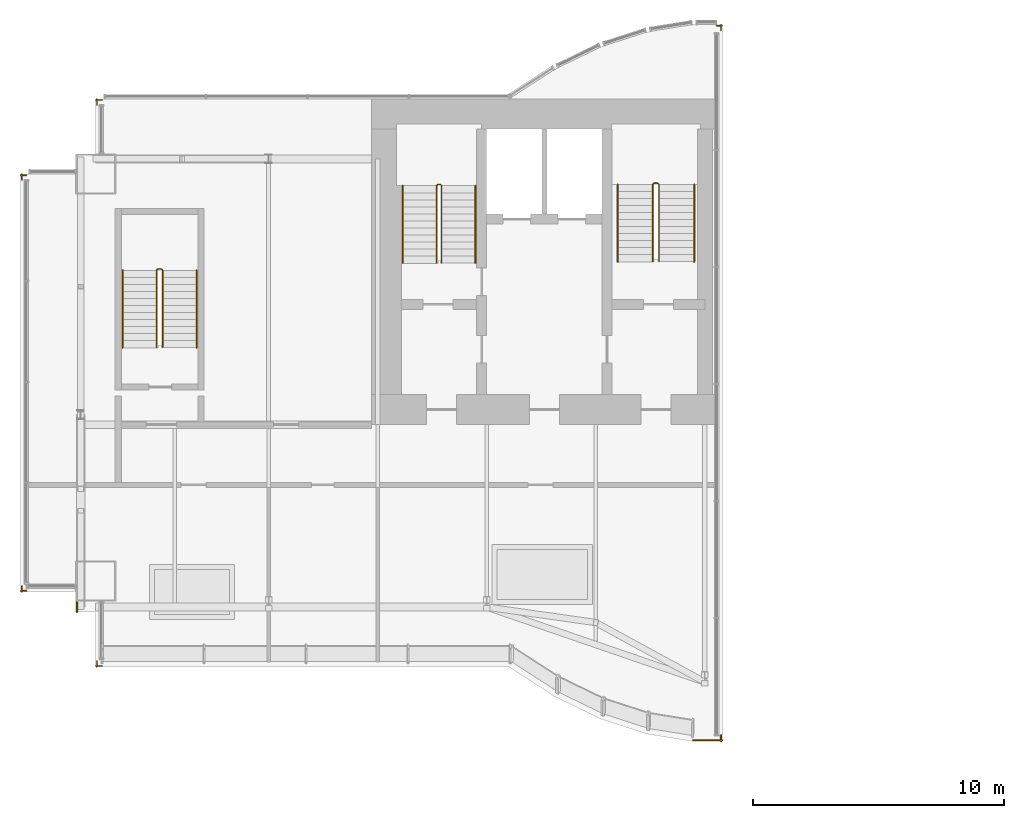
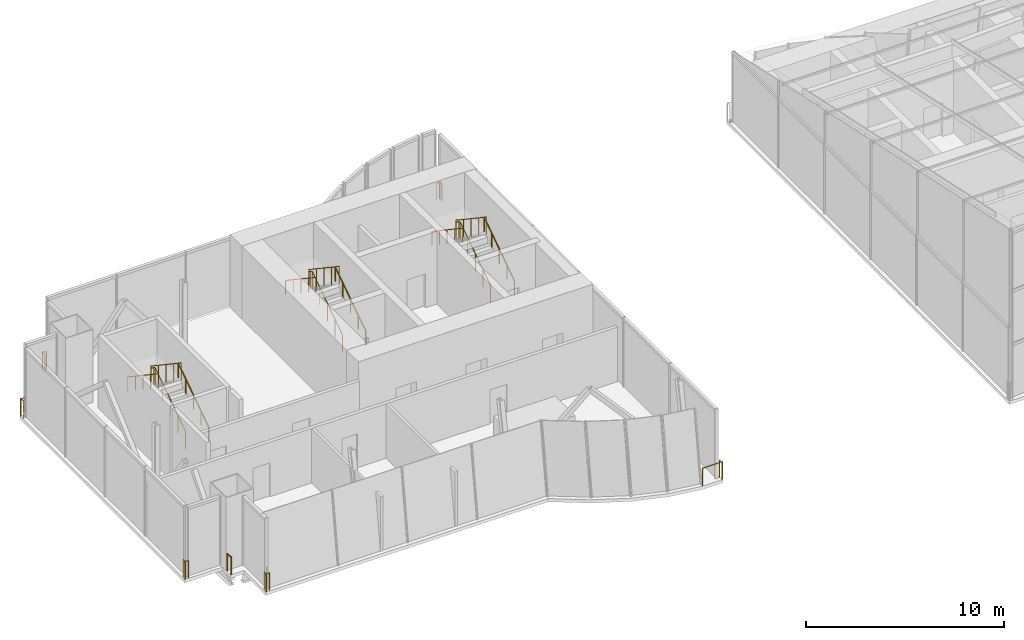
# One storey, part 15 of 17: 16 railings.
"""IFC4 building model written with IfcOpenShell, lengths in metres."""

from ifc_helpers import new_model, si_unit, direction, frame, origin, origin_2d, place, context, subcontext, project, spatial, circle, extrude, material, type_object, element, save


model = new_model("IFC4")

# Units and contexts
model_context = context("Model", 3, precision=1e-05, world=origin(), true_north=direction((0.0, 1.0)))
body_context = subcontext(model_context, "Body", "Model", "MODEL_VIEW")
ifc_project = project(units=[si_unit("LENGTHUNIT", "METRE"), si_unit("AREAUNIT", "SQUARE_METRE"), si_unit("VOLUMEUNIT", "CUBIC_METRE"), si_unit("PLANEANGLEUNIT", "RADIAN"), si_unit("MASSUNIT", "GRAM", prefix="KILO")], contexts=[model_context])

# Site, building, storey
site_placement = place(None, origin())
site = spatial("IfcSite", under=ifc_project, at=site_placement, CompositionType="ELEMENT")
building_placement = place(site_placement, origin())
building = spatial("IfcBuilding", under=site, at=building_placement, Name="Bicima Exchange Tower", CompositionType="ELEMENT")
storey_placement = place(building_placement, frame((0.0, 0.0, 356.89990234375)))
storey = spatial("IfcBuildingStorey", under=building, at=storey_placement, Name="L80", CompositionType="ELEMENT", Elevation=356.89990234375)

# Railings
ifc_material_1 = material(Name="Stainless steel and bonded safety glass", Category="steel")
railing_type_1 = type_object("IfcRailingType", Name="Edge guard 1100", PredefinedType="GUARDRAIL", material=ifc_material_1)
railing_1_placement = place(storey_placement, frame((-35.756103515625, -19.62890625, 0.0)))
element("IfcRailing", 1, at=railing_1_placement, inside=storey, type_object=railing_type_1, Name="Edge guard L80 438", PredefinedType="GUARDRAIL", context=body_context, shape_type="SweptSolid", body=[
    extrude(circle(Radius=0.02392578125, at=origin_2d()), frame((0.0, 0.0, 1.076171875), z_axis=(-1.0, 0.0, 0.0), x_axis=(0.0, -1.0, 0.0)), (0.0, 0.0, 1.0), 0.243896484375),
    extrude(circle(Radius=0.02392578125, at=origin_2d()), frame((-0.243896484375, 0.0, 1.076171875), z_axis=(0.707106781187, -0.707106781187, 0.0), x_axis=(0.707106781187, 0.707106781187, 0.0)), (0.0, 0.0, 1.0), 0.07080078125),
    extrude(circle(Radius=0.02392578125, at=origin_2d()), frame((-0.19384765625, -0.050048828125, 1.076171875), z_axis=(0.0, 1.0, 0.0), x_axis=(-1.0, 0.0, 0.0)), (0.0, 0.0, 1.0), 0.2490234375),
    extrude(circle(Radius=0.02099609375, at=origin_2d()), origin(), (0.0, 0.0, 1.0), 1.052001953125),
    extrude(circle(Radius=0.02099609375, at=origin_2d()), frame((-0.243896484375, 0.0, 0.0)), (0.0, 0.0, 1.0), 1.052001953125),
    extrude(circle(Radius=0.02099609375, at=origin_2d()), frame((-0.19384765625, -0.050048828125, 0.0)), (0.0, 0.0, 1.0), 1.052001953125),
    extrude(circle(Radius=0.02099609375, at=origin_2d()), frame((-0.19384765625, 0.198974609375, 0.0)), (0.0, 0.0, 1.0), 1.052001953125),
])
railing_2_placement = place(storey_placement, frame((-35.949951171875, -3.2490234375, 0.0)))
element("IfcRailing", 2, at=railing_2_placement, inside=storey, type_object=railing_type_1, Name="Edge guard L80 439", PredefinedType="GUARDRAIL", context=body_context, shape_type="SweptSolid", body=[
    extrude(circle(Radius=0.02392578125, at=origin_2d()), frame((0.0, 0.0, 1.076171875), z_axis=(0.0, 1.0, 0.0), x_axis=(-1.0, 0.0, 0.0)), (0.0, 0.0, 1.0), 0.2490234375),
    extrude(circle(Radius=0.02392578125, at=origin_2d()), frame((0.0, 0.2490234375, 1.076171875), z_axis=(-0.707106781187, -0.707106781187, 0.0), x_axis=(0.707106781187, -0.707106781187, 0.0)), (0.0, 0.0, 1.0), 0.07080078125),
    extrude(circle(Radius=0.02392578125, at=origin_2d()), frame((-0.050048828125, 0.198974609375, 1.076171875), z_axis=(1.0, 0.0, 0.0), x_axis=(0.0, 1.0, 0.0)), (0.0, 0.0, 1.0), 0.243896484375),
    extrude(circle(Radius=0.02099609375, at=origin_2d()), origin(), (0.0, 0.0, 1.0), 1.052001953125),
    extrude(circle(Radius=0.02099609375, at=origin_2d()), frame((0.0, 0.2490234375, 0.0)), (0.0, 0.0, 1.0), 1.052001953125),
    extrude(circle(Radius=0.02099609375, at=origin_2d()), frame((-0.050048828125, 0.198974609375, 0.0)), (0.0, 0.0, 1.0), 1.052001953125),
    extrude(circle(Radius=0.02099609375, at=origin_2d()), frame((0.19384765625, 0.198974609375, 0.0)), (0.0, 0.0, 1.0), 1.052001953125),
])
railing_3_placement = place(storey_placement, frame((-32.949951171875, -0.243896484375, 0.0)))
element("IfcRailing", 3, at=railing_3_placement, inside=storey, type_object=railing_type_1, Name="Edge guard L80 440", PredefinedType="GUARDRAIL", context=body_context, shape_type="SweptSolid", body=[
    extrude(circle(Radius=0.02392578125, at=origin_2d()), frame((0.0, 0.0, 1.076171875), z_axis=(0.0, 1.0, 0.0), x_axis=(-1.0, 0.0, 0.0)), (0.0, 0.0, 1.0), 0.243896484375),
    extrude(circle(Radius=0.02392578125, at=origin_2d()), frame((0.0, 0.243896484375, 1.076171875), z_axis=(-0.707106781187, -0.707106781187, 0.0), x_axis=(0.707106781187, -0.707106781187, 0.0)), (0.0, 0.0, 1.0), 0.07080078125),
    extrude(circle(Radius=0.02392578125, at=origin_2d()), frame((-0.050048828125, 0.19384765625, 1.076171875), z_axis=(1.0, 0.0, 0.0), x_axis=(0.0, 1.0, 0.0)), (0.0, 0.0, 1.0), 0.25),
    extrude(circle(Radius=0.02099609375, at=origin_2d()), origin(), (0.0, 0.0, 1.0), 1.052001953125),
    extrude(circle(Radius=0.02099609375, at=origin_2d()), frame((0.0, 0.243896484375, 0.0)), (0.0, 0.0, 1.0), 1.052001953125),
    extrude(circle(Radius=0.02099609375, at=origin_2d()), frame((-0.050048828125, 0.19384765625, 0.0)), (0.0, 0.0, 1.0), 1.052001953125),
    extrude(circle(Radius=0.02099609375, at=origin_2d()), frame((0.199951171875, 0.19384765625, 0.0)), (0.0, 0.0, 1.0), 1.052001953125),
])
railing_4_placement = place(storey_placement, frame((-8.23291015625, 2.9130859375, 0.0)))
element("IfcRailing", 4, at=railing_4_placement, inside=storey, type_object=railing_type_1, Name="Edge guard L80 441", PredefinedType="GUARDRAIL", context=body_context, shape_type="SweptSolid", body=[
    extrude(circle(Radius=0.02392578125, at=origin_2d()), frame((0.0, 0.0, 1.076171875), z_axis=(1.0, 0.0, 0.0), x_axis=(0.0, 1.0, 0.0)), (0.0, 0.0, 1.0), 0.23291015625),
    extrude(circle(Radius=0.02392578125, at=origin_2d()), frame((0.23291015625, 0.0, 1.076171875), z_axis=(-0.708833529934, 0.705375805398, 0.0), x_axis=(-0.705375805398, -0.708833529934, 0.0)), (0.0, 0.0, 1.0), 0.070556640625),
    extrude(circle(Radius=0.02392578125, at=origin_2d()), frame((0.182861328125, 0.0498046875, 1.076171875), z_axis=(0.0, -1.0, 0.0), x_axis=(1.0, 0.0, 0.0)), (0.0, 0.0, 1.0), 0.248779296875),
    extrude(circle(Radius=0.02099609375, at=origin_2d()), origin(), (0.0, 0.0, 1.0), 1.052001953125),
    extrude(circle(Radius=0.02099609375, at=origin_2d()), frame((0.23291015625, 0.0, 0.0)), (0.0, 0.0, 1.0), 1.052001953125),
    extrude(circle(Radius=0.02099609375, at=origin_2d()), frame((0.182861328125, 0.0498046875, 0.0)), (0.0, 0.0, 1.0), 1.052001953125),
    extrude(circle(Radius=0.02099609375, at=origin_2d()), frame((0.182861328125, -0.198974609375, 0.0)), (0.0, 0.0, 1.0), 1.052001953125),
])
railing_5_placement = place(storey_placement, frame((-8.050048828125, -25.39306640625, 0.0)))
element("IfcRailing", 5, at=railing_5_placement, inside=storey, type_object=railing_type_1, Name="Edge guard L80 442", PredefinedType="GUARDRAIL", context=body_context, shape_type="SweptSolid", body=[
    extrude(circle(Radius=0.02392578125, at=origin_2d()), frame((0.0, 0.0, 1.076171875), z_axis=(0.0, -1.0, 0.0), x_axis=(1.0, 0.0, 0.0)), (0.0, 0.0, 1.0), 0.2490234375),
    extrude(circle(Radius=0.02392578125, at=origin_2d()), frame((0.0, -0.2490234375, 1.076171875), z_axis=(0.707106781187, 0.707106781187, 0.0), x_axis=(-0.707106781187, 0.707106781187, 0.0)), (0.0, 0.0, 1.0), 0.07080078125),
    extrude(circle(Radius=0.02392578125, at=origin_2d()), frame((0.050048828125, -0.198974609375, 1.076171875), z_axis=(-1.0, 0.0, 0.0), x_axis=(0.0, -1.0, 0.0)), (0.0, 0.0, 1.0), 1.1669921875),
    extrude(circle(Radius=0.02099609375, at=origin_2d()), origin(), (0.0, 0.0, 1.0), 1.052001953125),
    extrude(circle(Radius=0.02099609375, at=origin_2d()), frame((0.0, -0.2490234375, 0.0)), (0.0, 0.0, 1.0), 1.052001953125),
    extrude(circle(Radius=0.02099609375, at=origin_2d()), frame((0.050048828125, -0.198974609375, 0.0)), (0.0, 0.0, 1.0), 1.052001953125),
    extrude(circle(Radius=0.02099609375, at=origin_2d()), frame((-1.116943359375, -0.198974609375, 0.0)), (0.0, 0.0, 1.0), 1.052001953125),
])
railing_6_placement = place(storey_placement, frame((-32.75, -22.62890625, 0.0)))
element("IfcRailing", 6, at=railing_6_placement, inside=storey, type_object=railing_type_1, Name="Edge guard L80 443", PredefinedType="GUARDRAIL", context=body_context, shape_type="SweptSolid", body=[
    extrude(circle(Radius=0.02392578125, at=origin_2d()), frame((0.0, 0.0, 1.076171875), z_axis=(-1.0, 0.0, 0.0), x_axis=(0.0, -1.0, 0.0)), (0.0, 0.0, 1.0), 0.25),
    extrude(circle(Radius=0.02392578125, at=origin_2d()), frame((-0.25, 0.0, 1.076171875), z_axis=(0.707106781187, -0.707106781187, 0.0), x_axis=(0.707106781187, 0.707106781187, 0.0)), (0.0, 0.0, 1.0), 0.07080078125),
    extrude(circle(Radius=0.02392578125, at=origin_2d()), frame((-0.199951171875, -0.050048828125, 1.076171875), z_axis=(0.0, 1.0, 0.0), x_axis=(-1.0, 0.0, 0.0)), (0.0, 0.0, 1.0), 0.243896484375),
    extrude(circle(Radius=0.02099609375, at=origin_2d()), origin(), (0.0, 0.0, 1.0), 1.052001953125),
    extrude(circle(Radius=0.02099609375, at=origin_2d()), frame((-0.25, 0.0, 0.0)), (0.0, 0.0, 1.0), 1.052001953125),
    extrude(circle(Radius=0.02099609375, at=origin_2d()), frame((-0.199951171875, -0.050048828125, 0.0)), (0.0, 0.0, 1.0), 1.052001953125),
    extrude(circle(Radius=0.02099609375, at=origin_2d()), frame((-0.199951171875, 0.19384765625, 0.0)), (0.0, 0.0, 1.0), 1.052001953125),
])
railing_7_placement = place(storey_placement, frame((-33.75, -20.47900390625, 0.0)))
element("IfcRailing", 7, at=railing_7_placement, inside=storey, type_object=railing_type_1, Name="Edge guard L80 444", PredefinedType="GUARDRAIL", context=body_context, shape_type="SweptSolid", body=[
    extrude(circle(Radius=0.02392578125, at=origin_2d()), frame((0.0, 0.0, 1.076171875), z_axis=(0.0, 1.0, 0.0), x_axis=(-1.0, 0.0, 0.0)), (0.0, 0.0, 1.0), 0.39990234375),
    extrude(circle(Radius=0.02099609375, at=origin_2d()), origin(), (0.0, 0.0, 1.0), 1.052001953125),
    extrude(circle(Radius=0.02099609375, at=origin_2d()), frame((0.0, 0.39990234375, 0.0)), (0.0, 0.0, 1.0), 1.052001953125),
])
ifc_material_2 = material(Name="Stainless steel", Category="steel")
railing_type_2 = type_object("IfcRailingType", Name="Stair guard 1100", PredefinedType="GUARDRAIL", material=ifc_material_2)
railing_8_placement = place(storey_placement, frame((-19.199951171875, -6.550048828125, 0.1875)))
element("IfcRailing", 8, at=railing_8_placement, inside=storey, type_object=railing_type_2, Name="L80 ST-W stair guard 1", PredefinedType="GUARDRAIL", context=body_context, shape_type="SweptSolid", body=[
    extrude(circle(Radius=0.02392578125, at=origin_2d()), frame((0.0, 0.0, 1.076171875), z_axis=(0.0, 0.830913701846, 0.55640131208), x_axis=(-1.0, 0.0, 0.0)), (0.0, 0.0, 1.0), 3.706787109375),
    extrude(circle(Radius=0.02392578125, at=origin_2d()), frame((0.0, 3.080078125, 3.138671875), z_axis=(-0.707106781187, 0.707106781187, 0.0), x_axis=(-0.707106781187, -0.707106781187, 0.0)), (0.0, 0.0, 1.0), 0.07080078125),
    extrude(circle(Radius=0.02392578125, at=origin_2d()), frame((-0.050048828125, 3.130126953125, 3.138671875), z_axis=(-1.0, 0.0, 0.0), x_axis=(0.0, -1.0, 0.0)), (0.0, 0.0, 1.0), 0.10009765625),
    extrude(circle(Radius=0.02392578125, at=origin_2d()), frame((-0.150146484375, 3.130126953125, 3.138671875), z_axis=(-0.248583702486, -0.249802250048, 0.935844527007), x_axis=(0.708833529934, -0.705375805398, 0.0)), (0.0, 0.0, 1.0), 0.200439453125),
    extrude(circle(Radius=0.02392578125, at=origin_2d()), frame((-0.199951171875, 3.080078125, 3.326171875), z_axis=(0.0, -0.830913701846, 0.55640131208), x_axis=(1.0, 0.0, 0.0)), (0.0, 0.0, 1.0), 3.706787109375),
    extrude(circle(Radius=0.02099609375, at=origin_2d()), origin(), (0.0, 0.0, 1.0), 1.052001953125),
    extrude(circle(Radius=0.02099609375, at=origin_2d()), frame((0.0, 0.77001953125, 0.515625)), (0.0, 0.0, 1.0), 1.052001953125),
    extrude(circle(Radius=0.02099609375, at=origin_2d()), frame((0.0, 1.5400390625, 1.03125)), (0.0, 0.0, 1.0), 1.052001953125),
    extrude(circle(Radius=0.02099609375, at=origin_2d()), frame((0.0, 2.31005859375, 1.546875)), (0.0, 0.0, 1.0), 1.052001953125),
    extrude(circle(Radius=0.02099609375, at=origin_2d()), frame((0.0, 3.080078125, 2.0625)), (0.0, 0.0, 1.0), 1.052001953125),
    extrude(circle(Radius=0.02099609375, at=origin_2d()), frame((-0.050048828125, 3.130126953125, 2.0625)), (0.0, 0.0, 1.0), 1.052001953125),
    extrude(circle(Radius=0.02099609375, at=origin_2d()), frame((-0.150146484375, 3.130126953125, 2.0625)), (0.0, 0.0, 1.0), 1.052001953125),
    extrude(circle(Radius=0.02099609375, at=origin_2d()), frame((-0.199951171875, 3.080078125, 2.25)), (0.0, 0.0, 1.0), 1.052001953125),
    extrude(circle(Radius=0.02099609375, at=origin_2d()), frame((-0.199951171875, 2.31005859375, 2.765625)), (0.0, 0.0, 1.0), 1.052001953125),
    extrude(circle(Radius=0.02099609375, at=origin_2d()), frame((-0.199951171875, 1.5400390625, 3.28125)), (0.0, 0.0, 1.0), 1.052001953125),
    extrude(circle(Radius=0.02099609375, at=origin_2d()), frame((-0.199951171875, 0.77001953125, 3.796875)), (0.0, 0.0, 1.0), 1.052001953125),
    extrude(circle(Radius=0.02099609375, at=origin_2d()), frame((-0.199951171875, 0.0, 4.3125)), (0.0, 0.0, 1.0), 1.052001953125),
])
railing_9_placement = place(storey_placement, frame((-10.52490234375, -6.5, 0.1875)))
element("IfcRailing", 9, at=railing_9_placement, inside=storey, type_object=railing_type_2, Name="L80 ST-CR stair guard 1", PredefinedType="GUARDRAIL", context=body_context, shape_type="SweptSolid", body=[
    extrude(circle(Radius=0.02392578125, at=origin_2d()), frame((0.0, 0.0, 1.076171875), z_axis=(0.0, 0.830913701846, 0.55640131208), x_axis=(-1.0, 0.0, 0.0)), (0.0, 0.0, 1.0), 3.706787109375),
    extrude(circle(Radius=0.02392578125, at=origin_2d()), frame((0.0, 3.080078125, 3.138671875), z_axis=(-0.708833529934, 0.705375805398, 0.0), x_axis=(-0.705375805398, -0.708833529934, 0.0)), (0.0, 0.0, 1.0), 0.070556640625),
    extrude(circle(Radius=0.02392578125, at=origin_2d()), frame((-0.050048828125, 3.1298828125, 3.138671875), z_axis=(-1.0, 0.0, 0.0), x_axis=(0.0, -1.0, 0.0)), (0.0, 0.0, 1.0), 0.150146484375),
    extrude(circle(Radius=0.02392578125, at=origin_2d()), frame((-0.2001953125, 3.1298828125, 3.138671875), z_axis=(-0.248659220195, -0.248659220195, 0.936128828968), x_axis=(0.707106781187, -0.707106781187, 0.0)), (0.0, 0.0, 1.0), 0.2001953125),
    extrude(circle(Radius=0.02392578125, at=origin_2d()), frame((-0.25, 3.080078125, 3.326171875), z_axis=(0.0, -0.830913701846, 0.55640131208), x_axis=(1.0, 0.0, 0.0)), (0.0, 0.0, 1.0), 3.706787109375),
    extrude(circle(Radius=0.02099609375, at=origin_2d()), origin(), (0.0, 0.0, 1.0), 1.052001953125),
    extrude(circle(Radius=0.02099609375, at=origin_2d()), frame((0.0, 0.77001953125, 0.515625)), (0.0, 0.0, 1.0), 1.052001953125),
    extrude(circle(Radius=0.02099609375, at=origin_2d()), frame((0.0, 1.5400390625, 1.03125)), (0.0, 0.0, 1.0), 1.052001953125),
    extrude(circle(Radius=0.02099609375, at=origin_2d()), frame((0.0, 2.31005859375, 1.546875)), (0.0, 0.0, 1.0), 1.052001953125),
    extrude(circle(Radius=0.02099609375, at=origin_2d()), frame((0.0, 3.080078125, 2.0625)), (0.0, 0.0, 1.0), 1.052001953125),
    extrude(circle(Radius=0.02099609375, at=origin_2d()), frame((-0.050048828125, 3.1298828125, 2.0625)), (0.0, 0.0, 1.0), 1.052001953125),
    extrude(circle(Radius=0.02099609375, at=origin_2d()), frame((-0.2001953125, 3.1298828125, 2.0625)), (0.0, 0.0, 1.0), 1.052001953125),
    extrude(circle(Radius=0.02099609375, at=origin_2d()), frame((-0.25, 3.080078125, 2.25)), (0.0, 0.0, 1.0), 1.052001953125),
    extrude(circle(Radius=0.02099609375, at=origin_2d()), frame((-0.25, 2.31005859375, 2.765625)), (0.0, 0.0, 1.0), 1.052001953125),
    extrude(circle(Radius=0.02099609375, at=origin_2d()), frame((-0.25, 1.5400390625, 3.28125)), (0.0, 0.0, 1.0), 1.052001953125),
    extrude(circle(Radius=0.02099609375, at=origin_2d()), frame((-0.25, 0.77001953125, 3.796875)), (0.0, 0.0, 1.0), 1.052001953125),
    extrude(circle(Radius=0.02099609375, at=origin_2d()), frame((-0.25, 0.0, 4.3125)), (0.0, 0.0, 1.0), 1.052001953125),
])
railing_10_placement = place(storey_placement, frame((-30.324951171875, -9.925048828125, 0.1875)))
element("IfcRailing", 10, at=railing_10_placement, inside=storey, type_object=railing_type_2, Name="L80 ST-WW stair guard 1", PredefinedType="GUARDRAIL", context=body_context, shape_type="SweptSolid", body=[
    extrude(circle(Radius=0.02392578125, at=origin_2d()), frame((0.0, 0.0, 1.076171875), z_axis=(0.0, 0.830913701846, 0.55640131208), x_axis=(-1.0, 0.0, 0.0)), (0.0, 0.0, 1.0), 3.706787109375),
    extrude(circle(Radius=0.02392578125, at=origin_2d()), frame((0.0, 3.080078125, 3.138671875), z_axis=(-0.707106781187, 0.707106781187, 0.0), x_axis=(-0.707106781187, -0.707106781187, 0.0)), (0.0, 0.0, 1.0), 0.07080078125),
    extrude(circle(Radius=0.02392578125, at=origin_2d()), frame((-0.050048828125, 3.130126953125, 3.138671875), z_axis=(-1.0, 0.0, 0.0), x_axis=(0.0, -1.0, 0.0)), (0.0, 0.0, 1.0), 0.14990234375),
    extrude(circle(Radius=0.02392578125, at=origin_2d()), frame((-0.199951171875, 3.130126953125, 3.138671875), z_axis=(-0.249726431254, -0.249726431254, 0.935560483917), x_axis=(0.707106781187, -0.707106781187, 0.0)), (0.0, 0.0, 1.0), 0.200439453125),
    extrude(circle(Radius=0.02392578125, at=origin_2d()), frame((-0.25, 3.080078125, 3.326171875), z_axis=(0.0, -0.830913701846, 0.55640131208), x_axis=(1.0, 0.0, 0.0)), (0.0, 0.0, 1.0), 3.706787109375),
    extrude(circle(Radius=0.02099609375, at=origin_2d()), origin(), (0.0, 0.0, 1.0), 1.052001953125),
    extrude(circle(Radius=0.02099609375, at=origin_2d()), frame((0.0, 0.77001953125, 0.515625)), (0.0, 0.0, 1.0), 1.052001953125),
    extrude(circle(Radius=0.02099609375, at=origin_2d()), frame((0.0, 1.5400390625, 1.03125)), (0.0, 0.0, 1.0), 1.052001953125),
    extrude(circle(Radius=0.02099609375, at=origin_2d()), frame((0.0, 2.31005859375, 1.546875)), (0.0, 0.0, 1.0), 1.052001953125),
    extrude(circle(Radius=0.02099609375, at=origin_2d()), frame((0.0, 3.080078125, 2.0625)), (0.0, 0.0, 1.0), 1.052001953125),
    extrude(circle(Radius=0.02099609375, at=origin_2d()), frame((-0.050048828125, 3.130126953125, 2.0625)), (0.0, 0.0, 1.0), 1.052001953125),
    extrude(circle(Radius=0.02099609375, at=origin_2d()), frame((-0.199951171875, 3.130126953125, 2.0625)), (0.0, 0.0, 1.0), 1.052001953125),
    extrude(circle(Radius=0.02099609375, at=origin_2d()), frame((-0.25, 3.080078125, 2.25)), (0.0, 0.0, 1.0), 1.052001953125),
    extrude(circle(Radius=0.02099609375, at=origin_2d()), frame((-0.25, 2.31005859375, 2.765625)), (0.0, 0.0, 1.0), 1.052001953125),
    extrude(circle(Radius=0.02099609375, at=origin_2d()), frame((-0.25, 1.5400390625, 3.28125)), (0.0, 0.0, 1.0), 1.052001953125),
    extrude(circle(Radius=0.02099609375, at=origin_2d()), frame((-0.25, 0.77001953125, 3.796875)), (0.0, 0.0, 1.0), 1.052001953125),
    extrude(circle(Radius=0.02099609375, at=origin_2d()), frame((-0.25, 0.0, 4.3125)), (0.0, 0.0, 1.0), 1.052001953125),
])
railing_type_3 = type_object("IfcRailingType", Name="Stair handrail 900", PredefinedType="HANDRAIL", material=ifc_material_2)
railing_11_placement = place(storey_placement, frame((-17.85009765625, -6.550048828125, 0.1875)))
element("IfcRailing", 11, at=railing_11_placement, inside=storey, type_object=railing_type_3, Name="L80 ST-W stair handrail 1", PredefinedType="HANDRAIL", context=body_context, shape_type="SweptSolid", body=[
    extrude(circle(Radius=0.02392578125, at=origin_2d()), frame((0.0, 0.0, 0.8759765625), z_axis=(0.0, 0.830913701846, 0.55640131208), x_axis=(-1.0, 0.0, 0.0)), (0.0, 0.0, 1.0), 3.706787109375),
    extrude(circle(Radius=0.02099609375, at=origin_2d()), origin(), (0.0, 0.0, 1.0), 0.851806640625),
    extrude(circle(Radius=0.02099609375, at=origin_2d()), frame((0.0, 0.77001953125, 0.515625)), (0.0, 0.0, 1.0), 0.851806640625),
    extrude(circle(Radius=0.02099609375, at=origin_2d()), frame((0.0, 1.5400390625, 1.03125)), (0.0, 0.0, 1.0), 0.851806640625),
    extrude(circle(Radius=0.02099609375, at=origin_2d()), frame((0.0, 2.31005859375, 1.546875)), (0.0, 0.0, 1.0), 0.851806640625),
    extrude(circle(Radius=0.02099609375, at=origin_2d()), frame((0.0, 3.080078125, 2.0625)), (0.0, 0.0, 1.0), 0.851806640625),
])
railing_12_placement = place(storey_placement, frame((-20.75, -3.469970703125, 2.4375)))
element("IfcRailing", 12, at=railing_12_placement, inside=storey, type_object=railing_type_3, Name="L80 ST-W stair handrail 2", PredefinedType="HANDRAIL", context=body_context, shape_type="SweptSolid", body=[
    extrude(circle(Radius=0.02392578125, at=origin_2d()), frame((0.0, 0.0, 0.8759765625), z_axis=(0.0, -0.830913701846, 0.55640131208), x_axis=(1.0, 0.0, 0.0)), (0.0, 0.0, 1.0), 3.706787109375),
    extrude(circle(Radius=0.02099609375, at=origin_2d()), origin(), (0.0, 0.0, 1.0), 0.851806640625),
    extrude(circle(Radius=0.02099609375, at=origin_2d()), frame((0.0, -0.77001953125, 0.515625)), (0.0, 0.0, 1.0), 0.851806640625),
    extrude(circle(Radius=0.02099609375, at=origin_2d()), frame((0.0, -1.5400390625, 1.03125)), (0.0, 0.0, 1.0), 0.851806640625),
    extrude(circle(Radius=0.02099609375, at=origin_2d()), frame((0.0, -2.31005859375, 1.546875)), (0.0, 0.0, 1.0), 0.851806640625),
    extrude(circle(Radius=0.02099609375, at=origin_2d()), frame((0.0, -3.080078125, 2.0625)), (0.0, 0.0, 1.0), 0.851806640625),
])
railing_13_placement = place(storey_placement, frame((-9.125, -6.5, 0.1875)))
element("IfcRailing", 13, at=railing_13_placement, inside=storey, type_object=railing_type_3, Name="L80 ST-CR stair handrail 1", PredefinedType="HANDRAIL", context=body_context, shape_type="SweptSolid", body=[
    extrude(circle(Radius=0.02392578125, at=origin_2d()), frame((0.0, 0.0, 0.8759765625), z_axis=(0.0, 0.830913701846, 0.55640131208), x_axis=(-1.0, 0.0, 0.0)), (0.0, 0.0, 1.0), 3.706787109375),
    extrude(circle(Radius=0.02099609375, at=origin_2d()), origin(), (0.0, 0.0, 1.0), 0.851806640625),
    extrude(circle(Radius=0.02099609375, at=origin_2d()), frame((0.0, 0.77001953125, 0.515625)), (0.0, 0.0, 1.0), 0.851806640625),
    extrude(circle(Radius=0.02099609375, at=origin_2d()), frame((0.0, 1.5400390625, 1.03125)), (0.0, 0.0, 1.0), 0.851806640625),
    extrude(circle(Radius=0.02099609375, at=origin_2d()), frame((0.0, 2.31005859375, 1.546875)), (0.0, 0.0, 1.0), 0.851806640625),
    extrude(circle(Radius=0.02099609375, at=origin_2d()), frame((0.0, 3.080078125, 2.0625)), (0.0, 0.0, 1.0), 0.851806640625),
])
railing_14_placement = place(storey_placement, frame((-12.175048828125, -3.419921875, 2.4375)))
element("IfcRailing", 14, at=railing_14_placement, inside=storey, type_object=railing_type_3, Name="L80 ST-CR stair handrail 2", PredefinedType="HANDRAIL", context=body_context, shape_type="SweptSolid", body=[
    extrude(circle(Radius=0.02392578125, at=origin_2d()), frame((0.0, 0.0, 0.8759765625), z_axis=(0.0, -0.830913701846, 0.55640131208), x_axis=(1.0, 0.0, 0.0)), (0.0, 0.0, 1.0), 3.706787109375),
    extrude(circle(Radius=0.02099609375, at=origin_2d()), origin(), (0.0, 0.0, 1.0), 0.851806640625),
    extrude(circle(Radius=0.02099609375, at=origin_2d()), frame((0.0, -0.77001953125, 0.515625)), (0.0, 0.0, 1.0), 0.851806640625),
    extrude(circle(Radius=0.02099609375, at=origin_2d()), frame((0.0, -1.5400390625, 1.03125)), (0.0, 0.0, 1.0), 0.851806640625),
    extrude(circle(Radius=0.02099609375, at=origin_2d()), frame((0.0, -2.31005859375, 1.546875)), (0.0, 0.0, 1.0), 0.851806640625),
    extrude(circle(Radius=0.02099609375, at=origin_2d()), frame((0.0, -3.080078125, 2.0625)), (0.0, 0.0, 1.0), 0.851806640625),
])
railing_15_placement = place(storey_placement, frame((-28.97509765625, -9.925048828125, 0.1875)))
element("IfcRailing", 15, at=railing_15_placement, inside=storey, type_object=railing_type_3, Name="L80 ST-WW stair handrail 1", PredefinedType="HANDRAIL", context=body_context, shape_type="SweptSolid", body=[
    extrude(circle(Radius=0.02392578125, at=origin_2d()), frame((0.0, 0.0, 0.8759765625), z_axis=(0.0, 0.830913701846, 0.55640131208), x_axis=(-1.0, 0.0, 0.0)), (0.0, 0.0, 1.0), 3.706787109375),
    extrude(circle(Radius=0.02099609375, at=origin_2d()), origin(), (0.0, 0.0, 1.0), 0.851806640625),
    extrude(circle(Radius=0.02099609375, at=origin_2d()), frame((0.0, 0.77001953125, 0.515625)), (0.0, 0.0, 1.0), 0.851806640625),
    extrude(circle(Radius=0.02099609375, at=origin_2d()), frame((0.0, 1.5400390625, 1.03125)), (0.0, 0.0, 1.0), 0.851806640625),
    extrude(circle(Radius=0.02099609375, at=origin_2d()), frame((0.0, 2.31005859375, 1.546875)), (0.0, 0.0, 1.0), 0.851806640625),
    extrude(circle(Radius=0.02099609375, at=origin_2d()), frame((0.0, 3.080078125, 2.0625)), (0.0, 0.0, 1.0), 0.851806640625),
])
railing_16_placement = place(storey_placement, frame((-31.925048828125, -6.844970703125, 2.4375)))
element("IfcRailing", 16, at=railing_16_placement, inside=storey, type_object=railing_type_3, Name="L80 ST-WW stair handrail 2", PredefinedType="HANDRAIL", context=body_context, shape_type="SweptSolid", body=[
    extrude(circle(Radius=0.02392578125, at=origin_2d()), frame((0.0, 0.0, 0.8759765625), z_axis=(0.0, -0.830913701846, 0.55640131208), x_axis=(1.0, 0.0, 0.0)), (0.0, 0.0, 1.0), 3.706787109375),
    extrude(circle(Radius=0.02099609375, at=origin_2d()), origin(), (0.0, 0.0, 1.0), 0.851806640625),
    extrude(circle(Radius=0.02099609375, at=origin_2d()), frame((0.0, -0.77001953125, 0.515625)), (0.0, 0.0, 1.0), 0.851806640625),
    extrude(circle(Radius=0.02099609375, at=origin_2d()), frame((0.0, -1.5400390625, 1.03125)), (0.0, 0.0, 1.0), 0.851806640625),
    extrude(circle(Radius=0.02099609375, at=origin_2d()), frame((0.0, -2.31005859375, 1.546875)), (0.0, 0.0, 1.0), 0.851806640625),
    extrude(circle(Radius=0.02099609375, at=origin_2d()), frame((0.0, -3.080078125, 2.0625)), (0.0, 0.0, 1.0), 0.851806640625),
])

save(model, "model.ifc")
